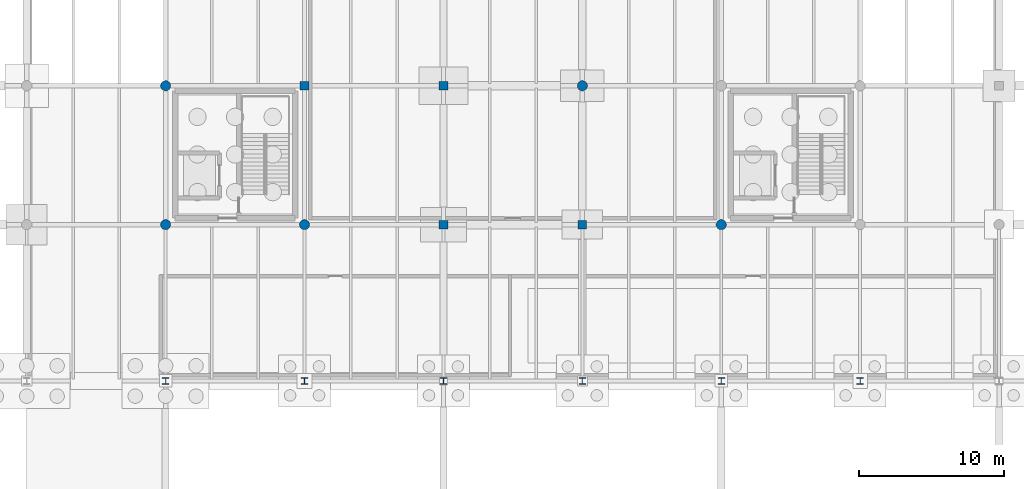
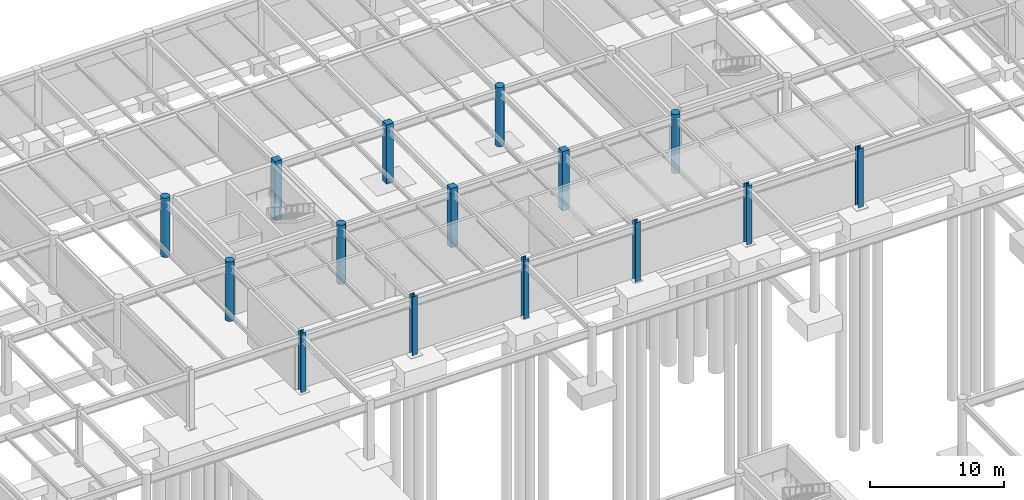
# One storey, part 22 of 50: 15 columns.
"""IFC4 building model written with IfcOpenShell, lengths in metres."""

from ifc_helpers import new_model, si_unit, direction, frame, origin, origin_2d, place, context, subcontext, project, spatial, rectangle, circle, i_section, extrude, material, material_profile, profile_set, type_object, element, save


model = new_model("IFC4")

# Units and contexts
model_context = context("Model", 3, precision=1e-05, world=origin(), true_north=direction((0.0, 1.0)))
body_context = subcontext(model_context, "Body", "Model", "MODEL_VIEW")
ifc_project = project(units=[si_unit("LENGTHUNIT", "METRE"), si_unit("AREAUNIT", "SQUARE_METRE"), si_unit("VOLUMEUNIT", "CUBIC_METRE"), si_unit("PLANEANGLEUNIT", "RADIAN"), si_unit("MASSUNIT", "GRAM", prefix="KILO")], contexts=[model_context])

# Site, building, storey
site_placement = place(None, origin())
site = spatial("IfcSite", under=ifc_project, at=site_placement, CompositionType="ELEMENT")
building_placement = place(site_placement, origin())
building = spatial("IfcBuilding", under=site, at=building_placement, Name="Yeouljin Market Hall", CompositionType="ELEMENT")
storey_placement = place(building_placement, frame((0.0, 0.0, -5.39990234375)))
storey = spatial("IfcBuildingStorey", under=building, at=storey_placement, Name="B1", CompositionType="ELEMENT", Elevation=-5.39990234375)

# Columns
ifc_material_1 = material(Name="Steel SM355", Category="steel")
ifc_material_profile_1 = material_profile(ifc_material_1, i_section(OverallWidth=0.449951171875, OverallDepth=0.449951171875, WebThickness=0.013916015625, FlangeThickness=0.02392578125, FilletRadius=0.02392578125, at=origin_2d()), Name="H-450x450x14x24")
ifc_profile_set_1 = profile_set([ifc_material_profile_1], Name="Steel SM355")
column_type_1 = type_object("IfcColumnType", Name="Col_H-450x450x14x24", PredefinedType="COLUMN", material=ifc_profile_set_1)
for number, where, z_axis, x_axis, name in (
    (1, (64.199951171875, 78.0, 0.0), (0.0, 0.0, 1.0), (1.0, 0.0, 0.0), "Column G-08-08 (B1)"),
    (2, (73.800048828125, 78.0, 0.0), (0.0, 0.0, 1.0), (1.0, 0.0, 0.0), "Column G-09-08 (B1)"),
    (3, (83.39990234375, 78.0, 0.0), (0.0, 0.0, 1.0), (1.0, 0.0, 0.0), "Column G-10-08 (B1)"),
    (4, (93.0, 78.0, 0.0), (0.0, 0.0, 1.0), (1.0, 0.0, 0.0), "Column G-11-08 (B1)"),
    (5, (102.60009765625, 78.0, 0.0), (0.0, 0.0, 1.0), (1.0, 0.0, 0.0), "Column G-12-08 (B1)"),
    (6, (112.199951171875, 78.0, 0.0), (0.0, 0.0, 1.0), (1.0, 0.0, 0.0), "Column G-13-08 (B1)"),
):
    element("IfcColumn", number, at=place(storey_placement, frame(where, z_axis=z_axis, x_axis=x_axis)), inside=storey, type_object=column_type_1, Name=name, PredefinedType="COLUMN", context=body_context, shape_type="SweptSolid", body=[
        extrude(i_section(OverallWidth=0.449951171875, OverallDepth=0.449951171875, WebThickness=0.013916015625, FlangeThickness=0.02392578125, FilletRadius=0.02392578125, at=origin_2d()), origin(), (0.0, 0.0, 1.0), 5.39990234375),
    ])
ifc_material_2 = material(Name="Concrete C35/45", Category="concrete")
ifc_material_profile_2 = material_profile(ifc_material_2, rectangle(XDim=0.60009765625, YDim=0.60009765625, at=origin_2d()), Name="RC-600x600")
ifc_profile_set_2 = profile_set([ifc_material_profile_2], Name="Concrete C35/45")
column_type_2 = type_object("IfcColumnType", Name="Col_RC-600x600", PredefinedType="COLUMN", material=ifc_profile_set_2)
for number, where, z_axis, x_axis, name in (
    (7, (73.800048828125, 98.39990234375, 0.0), (0.0, 0.0, 1.0), (1.0, 0.0, 0.0), "Column G-09-10 (B1)"),
    (8, (83.39990234375, 88.800048828125, 0.0), (0.0, 0.0, 1.0), (1.0, 0.0, 0.0), "Column G-10-09 (B1)"),
    (9, (83.39990234375, 98.39990234375, 0.0), (0.0, 0.0, 1.0), (1.0, 0.0, 0.0), "Column G-10-10 (B1)"),
    (10, (93.0, 88.800048828125, 0.0), (0.0, 0.0, 1.0), (1.0, 0.0, 0.0), "Column G-11-09 (B1)"),
):
    element("IfcColumn", number, at=place(storey_placement, frame(where, z_axis=z_axis, x_axis=x_axis)), inside=storey, type_object=column_type_2, Name=name, PredefinedType="COLUMN", context=body_context, shape_type="SweptSolid", body=[
        extrude(rectangle(XDim=0.60009765625, YDim=0.60009765625, at=origin_2d()), origin(), (0.0, 0.0, 1.0), 5.39990234375),
    ])
ifc_material_3 = material(Name="Concrete C35/45", Category="concrete")
ifc_material_profile_3 = material_profile(ifc_material_3, circle(Radius=0.35009765625, at=origin_2d()), Name="RC-D700")
ifc_profile_set_3 = profile_set([ifc_material_profile_3], Name="Concrete C35/45")
column_type_3 = type_object("IfcColumnType", Name="Col_RC-D700", PredefinedType="COLUMN", material=ifc_profile_set_3)
for number, where, z_axis, x_axis, name in (
    (11, (64.199951171875, 88.800048828125, 0.0), (0.0, 0.0, 1.0), (1.0, 0.0, 0.0), "Column G-08-09 (B1)"),
    (12, (64.199951171875, 98.39990234375, 0.0), (0.0, 0.0, 1.0), (1.0, 0.0, 0.0), "Column G-08-10 (B1)"),
    (13, (73.800048828125, 88.800048828125, 0.0), (0.0, 0.0, 1.0), (1.0, 0.0, 0.0), "Column G-09-09 (B1)"),
    (14, (93.0, 98.39990234375, 0.0), (0.0, 0.0, 1.0), (1.0, 0.0, 0.0), "Column G-11-10 (B1)"),
    (15, (102.60009765625, 88.800048828125, 0.0), (0.0, 0.0, 1.0), (1.0, 0.0, 0.0), "Column G-12-09 (B1)"),
):
    element("IfcColumn", number, at=place(storey_placement, frame(where, z_axis=z_axis, x_axis=x_axis)), inside=storey, type_object=column_type_3, Name=name, PredefinedType="COLUMN", context=body_context, shape_type="SweptSolid", body=[
        extrude(circle(Radius=0.35009765625, at=origin_2d()), origin(), (0.0, 0.0, 1.0), 5.39990234375),
    ])

save(model, "model.ifc")
